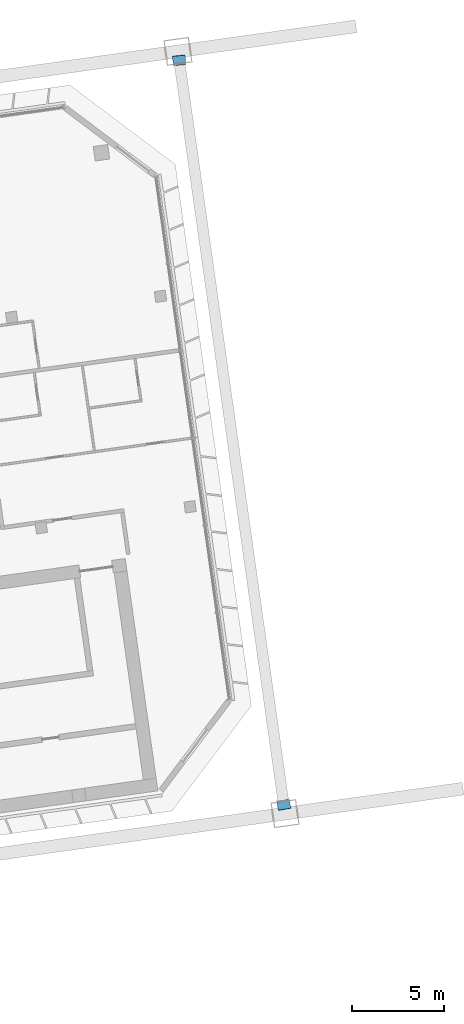
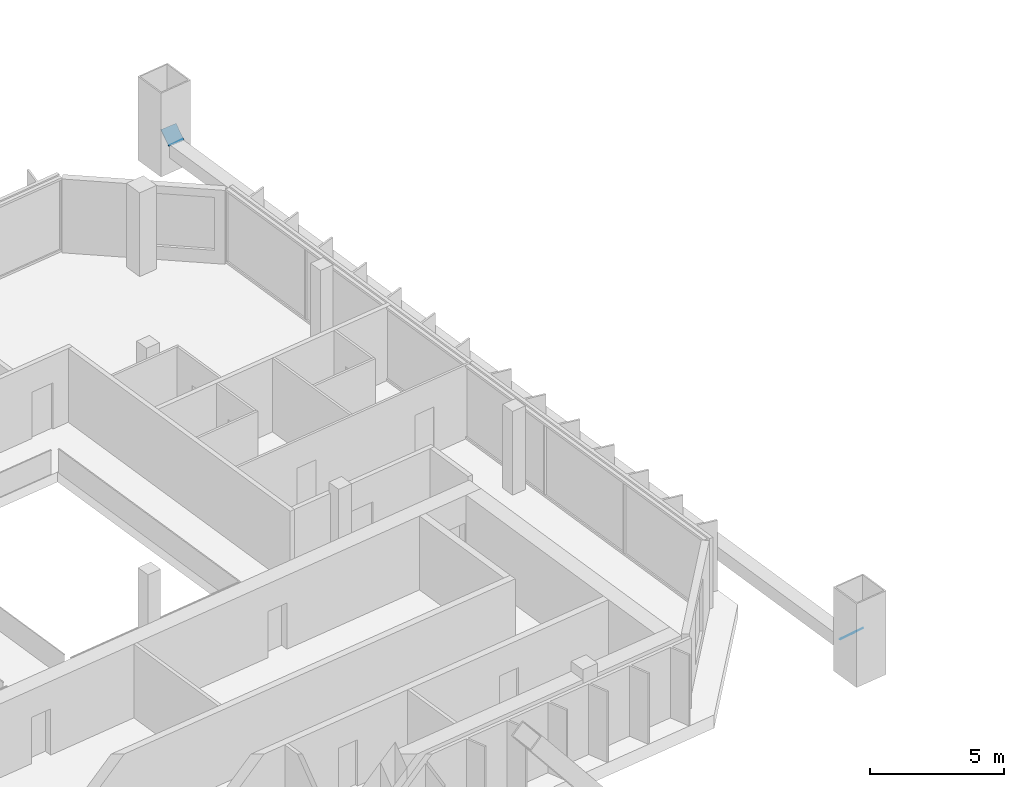
# One storey, part 34 of 38: 2 discrete accessories.
"""IFC4 building model written with IfcOpenShell, lengths in metres."""

from ifc_helpers import new_model, si_unit, direction, frame, origin, origin_2d, place, context, subcontext, project, spatial, rectangle, extrude, material, material_profile, profile_set, type_object, element, save


model = new_model("IFC4")

# Units and contexts
model_context = context("Model", 3, precision=1e-05, world=origin(), true_north=direction((0.0, 1.0)))
body_context = subcontext(model_context, "Body", "Model", "MODEL_VIEW")
ifc_project = project(units=[si_unit("LENGTHUNIT", "METRE"), si_unit("AREAUNIT", "SQUARE_METRE"), si_unit("VOLUMEUNIT", "CUBIC_METRE"), si_unit("PLANEANGLEUNIT", "RADIAN"), si_unit("MASSUNIT", "GRAM", prefix="KILO")], contexts=[model_context])

# Site, building, storey
site_placement = place(None, origin())
site = spatial("IfcSite", under=ifc_project, at=site_placement, CompositionType="ELEMENT")
building_placement = place(site_placement, origin())
building = spatial("IfcBuilding", under=site, at=building_placement, Name="Mirante Cascada Hotel Towers", CompositionType="ELEMENT")
storey_placement = place(building_placement, frame((0.0, 0.0, 184.0)))
storey = spatial("IfcBuildingStorey", under=building, at=storey_placement, Name="L43", CompositionType="ELEMENT", Elevation=184.0)

# Discrete accessories
ifc_material = material(Name="Steel ASTM A572 Gr 50", Category="steel")
ifc_material_profile = material_profile(ifc_material, rectangle(XDim=0.7, YDim=0.7, at=origin_2d()), Name="Connection plate 700x700x25 ASTM A572 Gr 50")
ifc_profile_set = profile_set([ifc_material_profile], Name="Steel ASTM A572 Gr 50")
discrete_accessory_type = type_object("IfcDiscreteAccessoryType", Name="Connection plate 700x700x25 ASTM A572 Gr 50", PredefinedType="BRACKET", material=ifc_profile_set)
for number, where, z_axis, x_axis, name in (
    (1, (88.3106, -14.5225, 1.4855), (-0.1201809, 0.6650009, 0.7371094), (-0.9840591, -0.177842, 0.0), "Connection plate MB-OL43L"),
    (2, (82.6001, 26.11, 1.4855), (0.0680714, -0.6727054, 0.7367725), (0.9949192, 0.1006764, 0.0), "Connection plate MB-OL43R"),
):
    element("IfcDiscreteAccessory", number, at=place(storey_placement, frame(where, z_axis=z_axis, x_axis=x_axis)), inside=storey, type_object=discrete_accessory_type, Name=name, PredefinedType="BRACKET", context=body_context, shape_type="SweptSolid", body=[
        extrude(rectangle(XDim=0.7, YDim=0.7, at=origin_2d()), origin(), (0.0, 0.0, 1.0), 0.025),
    ])

save(model, "model.ifc")
